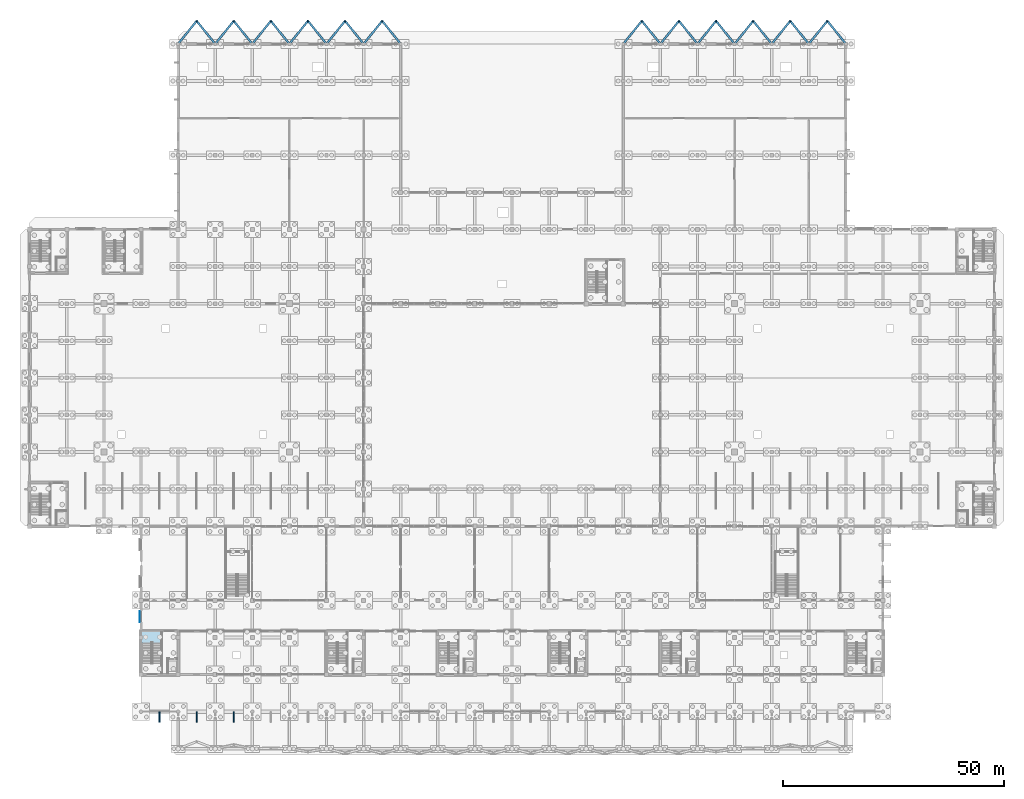
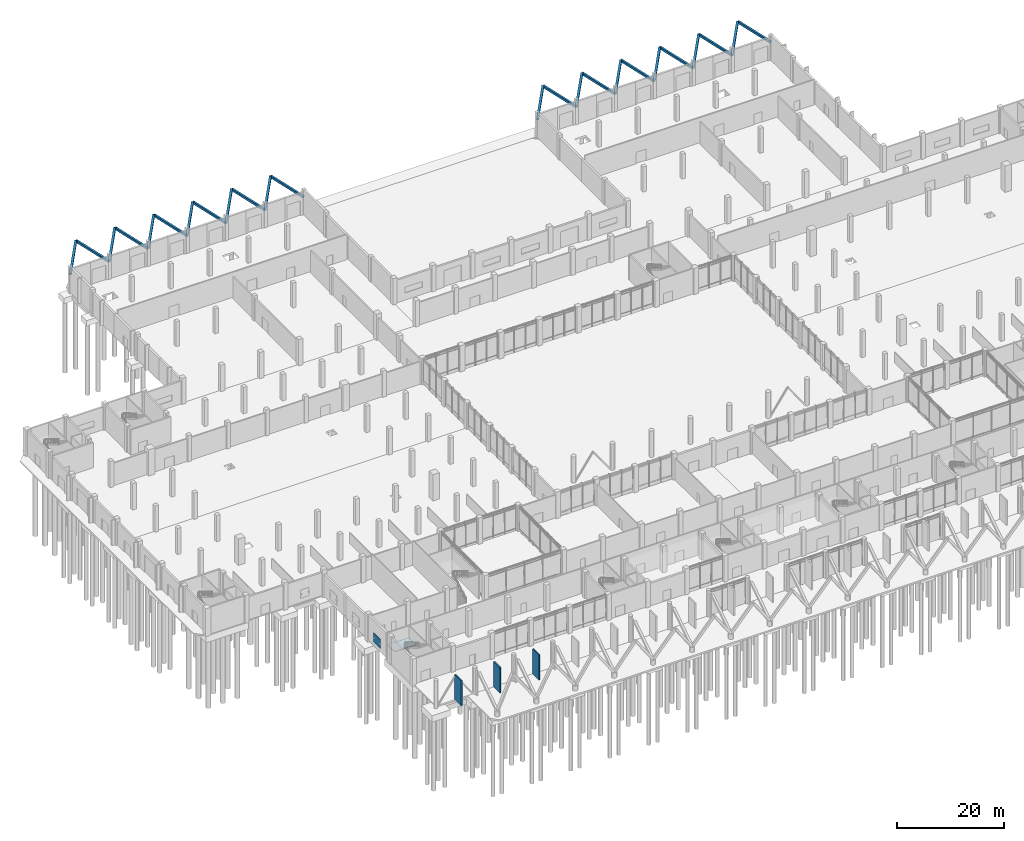
# One storey, part 36 of 72: 24 members, 4 plates, 1 slab, 1 element without a shape of its own.
"""IFC4 building model written with IfcOpenShell, lengths in metres."""

from ifc_helpers import new_model, si_unit, direction, frame, frame_2d, origin, origin_2d, place, context, subcontext, project, spatial, polyline, rectangle, outline, extrude, material, layer, layer_set, material_profile, profile_set, type_object, element, aggregate, save


model = new_model("IFC4")

# Units and contexts
model_context = context("Model", 3, precision=1e-05, world=origin(), true_north=direction((0.0, 1.0)))
body_context = subcontext(model_context, "Body", "Model", "MODEL_VIEW")
ifc_project = project(units=[si_unit("LENGTHUNIT", "METRE"), si_unit("AREAUNIT", "SQUARE_METRE"), si_unit("VOLUMEUNIT", "CUBIC_METRE"), si_unit("PLANEANGLEUNIT", "RADIAN"), si_unit("MASSUNIT", "GRAM", prefix="KILO")], contexts=[model_context])

# Site, building, storey
site_placement = place(None, origin())
site = spatial("IfcSite", under=ifc_project, at=site_placement, CompositionType="ELEMENT")
building_placement = place(site_placement, origin())
building = spatial("IfcBuilding", under=site, at=building_placement, Name="Qawsi Khor Wholesale Market", CompositionType="ELEMENT")
storey_placement = place(building_placement, origin())
storey = spatial("IfcBuildingStorey", under=building, at=storey_placement, Name="L00", CompositionType="ELEMENT", Elevation=0.0)

# Members
ifc_material_1 = material(Name="Concrete C40/50", Category="concrete")
ifc_material_profile = material_profile(ifc_material_1, rectangle(XDim=0.449951171875, YDim=0.449951171875, at=origin_2d()), Name="RC 450x450")
ifc_profile_set = profile_set([ifc_material_profile], Name="Concrete C40/50")
member_type = type_object("IfcMemberType", Name="Sculpted Concrete V-Strut RC 450x450", PredefinedType="STRUT", material=ifc_profile_set)
for number, where, z_axis, x_axis, name in (
    (1, (33.60009765625, 151.199951171875, 3.85009765625), (0.570997172859, 0.706950461241, 0.417352697293), (-0.777941866883, 0.628336256913, 0.0), "NWC Dock Raked Concrete Bracket 1L"),
    (2, (42.0, 151.199951171875, 3.85009765625), (-0.570997172859, 0.706950461241, 0.417352697293), (-0.777941866883, -0.628336256913, 0.0), "NWC Dock Raked Concrete Bracket 1R"),
    (3, (42.0, 151.199951171875, 3.85009765625), (0.570997172859, 0.706950461241, 0.417352697293), (-0.777941866883, 0.628336256913, 0.0), "NWC Dock Raked Concrete Bracket 2L"),
    (4, (50.39990234375, 151.199951171875, 3.85009765625), (-0.570997172859, 0.706950461241, 0.417352697293), (-0.777941866883, -0.628336256913, 0.0), "NWC Dock Raked Concrete Bracket 2R"),
):
    element("IfcMember", number, at=place(storey_placement, frame(where, z_axis=z_axis, x_axis=x_axis)), inside=storey, type_object=member_type, Name=name, PredefinedType="STRUT", context=body_context, shape_type="SweptSolid", body=[
        extrude(rectangle(XDim=0.449951171875, YDim=0.449951171875, at=origin_2d()), origin(), (0.0, 0.0, 1.0), 7.35546875),
    ])
member_1_placement = place(storey_placement, frame((50.39990234375, 151.199951171875, 3.85009765625), z_axis=(0.571019542189, 0.70693706284, 0.417344787462), x_axis=(-0.777924013321, 0.628358360729, 0.0)))
element("IfcMember", 5, at=member_1_placement, inside=storey, type_object=member_type, Name="NWC Dock Raked Concrete Bracket 3L", PredefinedType="STRUT", context=body_context, shape_type="SweptSolid", body=[
    extrude(rectangle(XDim=0.449951171875, YDim=0.449951171875, at=origin_2d()), origin(), (0.0, 0.0, 1.0), 7.355712890625),
])
for number, where, z_axis, x_axis, name in (
    (6, (58.800048828125, 151.199951171875, 3.85009765625), (-0.570997172859, 0.706950461241, 0.417352697293), (-0.777941866883, -0.628336256913, 0.0), "NWC Dock Raked Concrete Bracket 3R"),
    (7, (58.800048828125, 151.199951171875, 3.85009765625), (0.570997172859, 0.706950461241, 0.417352697293), (-0.777941866883, 0.628336256913, 0.0), "NWC Dock Raked Concrete Bracket 4L"),
    (8, (67.199951171875, 151.199951171875, 3.85009765625), (-0.570997172859, 0.706950461241, 0.417352697293), (-0.777941866883, -0.628336256913, 0.0), "NWC Dock Raked Concrete Bracket 4R"),
    (9, (67.199951171875, 151.199951171875, 3.85009765625), (0.570997172859, 0.706950461241, 0.417352697293), (-0.777941866883, 0.628336256913, 0.0), "NWC Dock Raked Concrete Bracket 5L"),
):
    element("IfcMember", number, at=place(storey_placement, frame(where, z_axis=z_axis, x_axis=x_axis)), inside=storey, type_object=member_type, Name=name, PredefinedType="STRUT", context=body_context, shape_type="SweptSolid", body=[
        extrude(rectangle(XDim=0.449951171875, YDim=0.449951171875, at=origin_2d()), origin(), (0.0, 0.0, 1.0), 7.35546875),
    ])
member_2_placement = place(storey_placement, frame((75.60009765625, 151.199951171875, 3.85009765625), z_axis=(-0.571019542189, 0.70693706284, 0.417344787462), x_axis=(-0.777924013321, -0.628358360729, 0.0)))
element("IfcMember", 10, at=member_2_placement, inside=storey, type_object=member_type, Name="NWC Dock Raked Concrete Bracket 5R", PredefinedType="STRUT", context=body_context, shape_type="SweptSolid", body=[
    extrude(rectangle(XDim=0.449951171875, YDim=0.449951171875, at=origin_2d()), origin(), (0.0, 0.0, 1.0), 7.355712890625),
])
for number, where, z_axis, x_axis, name in (
    (11, (75.60009765625, 151.199951171875, 3.85009765625), (0.570997172859, 0.706950461241, 0.417352697293), (-0.777941866883, 0.628336256913, 0.0), "NWC Dock Raked Concrete Bracket 6L"),
    (12, (84.0, 151.199951171875, 3.85009765625), (-0.570997172859, 0.706950461241, 0.417352697293), (-0.777941866883, -0.628336256913, 0.0), "NWC Dock Raked Concrete Bracket 6R"),
):
    element("IfcMember", number, at=place(storey_placement, frame(where, z_axis=z_axis, x_axis=x_axis)), inside=storey, type_object=member_type, Name=name, PredefinedType="STRUT", context=body_context, shape_type="SweptSolid", body=[
        extrude(rectangle(XDim=0.449951171875, YDim=0.449951171875, at=origin_2d()), origin(), (0.0, 0.0, 1.0), 7.35546875),
    ])
member_3_placement = place(storey_placement, frame((134.39990234375, 151.199951171875, 3.85009765625), z_axis=(0.571019542189, 0.70693706284, 0.417344787462), x_axis=(-0.777924013321, 0.628358360729, 0.0)))
element("IfcMember", 13, at=member_3_placement, inside=storey, type_object=member_type, Name="NEC Dock Raked Concrete Bracket 1L", PredefinedType="STRUT", context=body_context, shape_type="SweptSolid", body=[
    extrude(rectangle(XDim=0.449951171875, YDim=0.449951171875, at=origin_2d()), origin(), (0.0, 0.0, 1.0), 7.355712890625),
])
for number, where, z_axis, x_axis, name in (
    (14, (142.800048828125, 151.199951171875, 3.85009765625), (-0.570997172859, 0.706950461241, 0.417352697293), (-0.777941866883, -0.628336256913, 0.0), "NEC Dock Raked Concrete Bracket 1R"),
    (15, (142.800048828125, 151.199951171875, 3.85009765625), (0.570997172859, 0.706950461241, 0.417352697293), (-0.777941866883, 0.628336256913, 0.0), "NEC Dock Raked Concrete Bracket 2L"),
    (16, (151.199951171875, 151.199951171875, 3.85009765625), (-0.570997172859, 0.706950461241, 0.417352697293), (-0.777941866883, -0.628336256913, 0.0), "NEC Dock Raked Concrete Bracket 2R"),
    (17, (151.199951171875, 151.199951171875, 3.85009765625), (0.570997172859, 0.706950461241, 0.417352697293), (-0.777941866883, 0.628336256913, 0.0), "NEC Dock Raked Concrete Bracket 3L"),
):
    element("IfcMember", number, at=place(storey_placement, frame(where, z_axis=z_axis, x_axis=x_axis)), inside=storey, type_object=member_type, Name=name, PredefinedType="STRUT", context=body_context, shape_type="SweptSolid", body=[
        extrude(rectangle(XDim=0.449951171875, YDim=0.449951171875, at=origin_2d()), origin(), (0.0, 0.0, 1.0), 7.35546875),
    ])
member_4_placement = place(storey_placement, frame((159.60009765625, 151.199951171875, 3.85009765625), z_axis=(-0.571019542189, 0.70693706284, 0.417344787462), x_axis=(-0.777924013321, -0.628358360729, 0.0)))
element("IfcMember", 18, at=member_4_placement, inside=storey, type_object=member_type, Name="NEC Dock Raked Concrete Bracket 3R", PredefinedType="STRUT", context=body_context, shape_type="SweptSolid", body=[
    extrude(rectangle(XDim=0.449951171875, YDim=0.449951171875, at=origin_2d()), origin(), (0.0, 0.0, 1.0), 7.355712890625),
])
for number, where, z_axis, x_axis, name in (
    (19, (159.60009765625, 151.199951171875, 3.85009765625), (0.570997172859, 0.706950461241, 0.417352697293), (-0.777941866883, 0.628336256913, 0.0), "NEC Dock Raked Concrete Bracket 4L"),
    (20, (168.0, 151.199951171875, 3.85009765625), (-0.570997172859, 0.706950461241, 0.417352697293), (-0.777941866883, -0.628336256913, 0.0), "NEC Dock Raked Concrete Bracket 4R"),
    (21, (168.0, 151.199951171875, 3.85009765625), (0.570997172859, 0.706950461241, 0.417352697293), (-0.777941866883, 0.628336256913, 0.0), "NEC Dock Raked Concrete Bracket 5L"),
    (22, (176.39990234375, 151.199951171875, 3.85009765625), (-0.570997172859, 0.706950461241, 0.417352697293), (-0.777941866883, -0.628336256913, 0.0), "NEC Dock Raked Concrete Bracket 5R"),
):
    element("IfcMember", number, at=place(storey_placement, frame(where, z_axis=z_axis, x_axis=x_axis)), inside=storey, type_object=member_type, Name=name, PredefinedType="STRUT", context=body_context, shape_type="SweptSolid", body=[
        extrude(rectangle(XDim=0.449951171875, YDim=0.449951171875, at=origin_2d()), origin(), (0.0, 0.0, 1.0), 7.35546875),
    ])
member_5_placement = place(storey_placement, frame((176.39990234375, 151.199951171875, 3.85009765625), z_axis=(0.571019542189, 0.70693706284, 0.417344787462), x_axis=(-0.777924013321, 0.628358360729, 0.0)))
element("IfcMember", 23, at=member_5_placement, inside=storey, type_object=member_type, Name="NEC Dock Raked Concrete Bracket 6L", PredefinedType="STRUT", context=body_context, shape_type="SweptSolid", body=[
    extrude(rectangle(XDim=0.449951171875, YDim=0.449951171875, at=origin_2d()), origin(), (0.0, 0.0, 1.0), 7.355712890625),
])
member_6_placement = place(storey_placement, frame((184.800048828125, 151.199951171875, 3.85009765625), z_axis=(-0.570997172859, 0.706950461241, 0.417352697293), x_axis=(-0.777941866883, -0.628336256913, 0.0)))
element("IfcMember", 24, at=member_6_placement, inside=storey, type_object=member_type, Name="NEC Dock Raked Concrete Bracket 6R", PredefinedType="STRUT", context=body_context, shape_type="SweptSolid", body=[
    extrude(rectangle(XDim=0.449951171875, YDim=0.449951171875, at=origin_2d()), origin(), (0.0, 0.0, 1.0), 7.35546875),
])

# Plates
ifc_material_2 = material(Name="Perforated Bronze-Anodised Aluminium", Category="aluminium")
ifc_layer_1 = layer(ifc_material_2, 0.02001953125, Name="Perforated Bronze-Anodised Aluminium")
ifc_layer_set_1 = layer_set([ifc_layer_1], Name="Perforated Bronze-Anodised Aluminium")
plate_type_1 = type_object("IfcPlateType", Name="Perforated Bronze Mashrabiya Screen 20mm", PredefinedType="SHEET", material=ifc_layer_set_1)
plate_placement = place(storey_placement, frame((24.885009765625, 20.22509765625, 0.89990234375), z_axis=(0.0, 0.0, 1.0), x_axis=(0.0, 1.0, 0.0)))
element("IfcPlate", 25, at=plate_placement, inside=storey, type_object=plate_type_1, Name="Solar mashrabiya screen 053", PredefinedType="SHEET", context=body_context, shape_type="SweptSolid", body=[
    extrude(rectangle(XDim=2.5498046875, YDim=0.02001953125, at=frame_2d((1.27490234375, 0.0))), origin(), (0.0, 0.0, 1.0), 2.150146484375),
])
ifc_layer_2 = layer(ifc_material_1, 0.260009765625, Name="Concrete C40/50")
ifc_layer_set_2 = layer_set([ifc_layer_2], Name="Concrete C40/50")
plate_type_2 = type_object("IfcPlateType", Name="Sculpted Concrete Solar Buttress Fin 260", PredefinedType="SHEET", material=ifc_layer_set_2)
for number, where, z_axis, x_axis, name in (
    (26, (29.39990234375, -2.35009765625, 0.0), (0.0, 0.0, 1.0), (0.0, 1.0, 0.0), "Boulevard concrete solar buttress fin L00-01"),
    (27, (37.800048828125, -2.35009765625, 0.0), (0.0, 0.0, 1.0), (0.0, 1.0, 0.0), "Boulevard concrete solar buttress fin L00-03"),
    (28, (46.199951171875, -2.35009765625, 0.0), (0.0, 0.0, 1.0), (0.0, 1.0, 0.0), "Boulevard concrete solar buttress fin L00-05"),
):
    element("IfcPlate", number, at=place(storey_placement, frame(where, z_axis=z_axis, x_axis=x_axis)), inside=storey, type_object=plate_type_2, Name=name, PredefinedType="SHEET", context=body_context, shape_type="SweptSolid", body=[
        extrude(rectangle(XDim=2.3701171875, YDim=0.260009765625, at=frame_2d((1.18505859375, 0.0))), origin(), (0.0, 0.0, 1.0), 5.719970703125),
    ])

# Stair, slab
stair_type = type_object("IfcStairType", Name="Exit Stair L00-L01 6000 Rise", PredefinedType="HALF_TURN_STAIR", material=ifc_material_1)
stair_placement = place(storey_placement, origin())
stair = element("IfcStair", 29, at=stair_placement, inside=storey, type_object=stair_type, Name="Stair ST-01 L00", PredefinedType="HALF_TURN_STAIR")
ifc_layer_3 = layer(ifc_material_1, 0.179931640625, Name="Concrete C40/50")
ifc_layer_set_3 = layer_set([ifc_layer_3], Name="Concrete C40/50")
slab_type = type_object("IfcSlabType", Name="Stair Half-Landing Slab 180 C40/50", PredefinedType="LANDING", material=ifc_layer_set_3)
slab_placement = place(storey_placement, frame((0.0, 0.0, 2.820068359375)))
slab = element("IfcSlab", 30, at=slab_placement, type_object=slab_type, Name="ST-01-L00 landing 1", PredefinedType="LANDING", context=body_context, shape_type="SweptSolid", body=[
    extrude(outline(polyline([(25.25, 15.52001953125), (29.780029296875, 15.52001953125), (29.780029296875, 18.14990234375), (25.25, 18.14990234375), (25.25, 15.52001953125)])), origin(), (0.0, 0.0, 1.0), 0.179931640625),
])
aggregate(stair, [slab])

save(model, "model.ifc")
